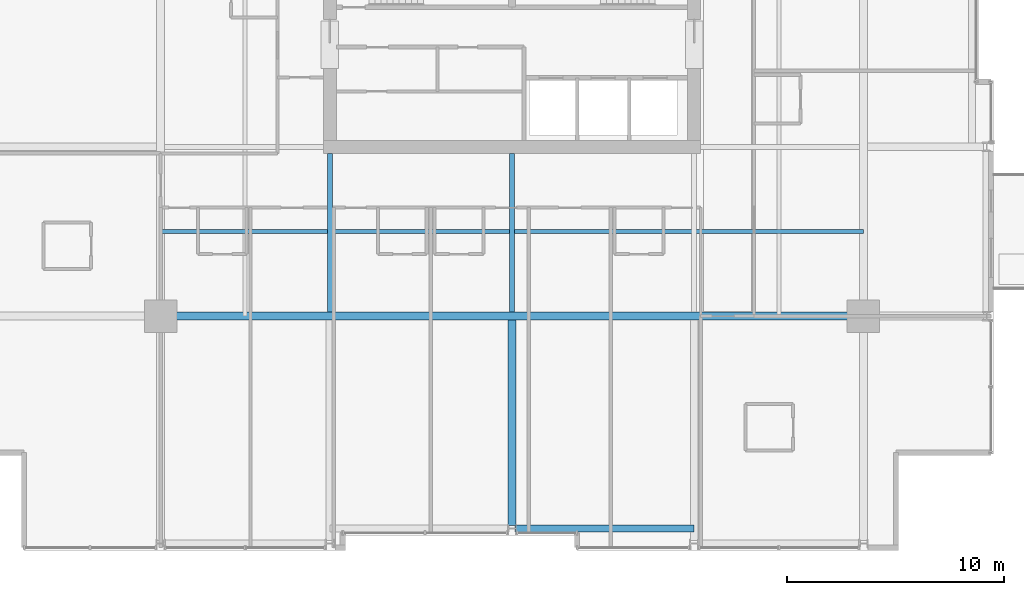
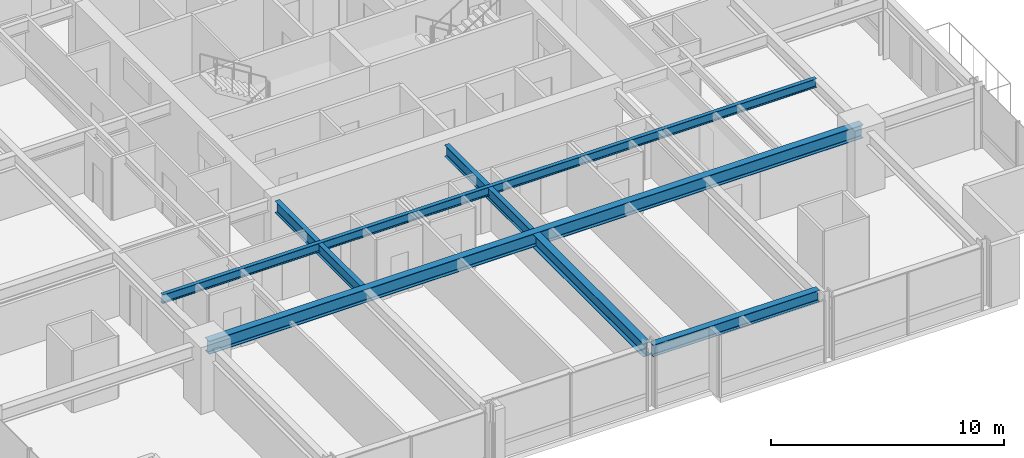
# One storey, part 6 of 34: 6 beams.
"""IFC4 building model written with IfcOpenShell, lengths in metres."""

from ifc_helpers import new_model, si_unit, direction, frame, origin, origin_2d, place, context, subcontext, project, spatial, i_section, extrude, material, material_profile, profile_set, type_object, element, save


model = new_model("IFC4")

# Units and contexts
model_context = context("Model", 3, precision=1e-05, world=origin(), true_north=direction((0.0, 1.0)))
body_context = subcontext(model_context, "Body", "Model", "MODEL_VIEW")
ifc_project = project(units=[si_unit("LENGTHUNIT", "METRE"), si_unit("AREAUNIT", "SQUARE_METRE"), si_unit("VOLUMEUNIT", "CUBIC_METRE"), si_unit("PLANEANGLEUNIT", "RADIAN"), si_unit("MASSUNIT", "GRAM", prefix="KILO")], contexts=[model_context])

# Site, building, storey
site_placement = place(None, origin())
site = spatial("IfcSite", under=ifc_project, at=site_placement, CompositionType="ELEMENT")
building_placement = place(site_placement, origin())
building = spatial("IfcBuilding", under=site, at=building_placement, Name="Drelvath Grand Hotel", CompositionType="ELEMENT")
storey_placement = place(building_placement, frame((0.0, 0.0, 133.800048828125)))
storey = spatial("IfcBuildingStorey", under=building, at=storey_placement, Name="L34", CompositionType="ELEMENT", Elevation=133.800048828125)

# Beams
ifc_material = material(Name="Steel ASTM A992 Gr 50", Category="steel")
ifc_material_profile_1 = material_profile(ifc_material, i_section(OverallWidth=0.19140625, OverallDepth=0.4599609375, WebThickness=0.010009765625, FlangeThickness=0.01611328125, FilletRadius=0.01611328125, at=origin_2d()), Name="W18X55")
ifc_profile_set_1 = profile_set([ifc_material_profile_1], Name="Steel ASTM A992 Gr 50")
beam_type_1 = type_object("IfcBeamType", Name="Composite Floor Joist W18X55", PredefinedType="JOIST", material=ifc_profile_set_1)
beam_1_placement = place(storey_placement, frame((-16.199951171875, 14.699951171875, 3.010009765625), z_axis=(1.0, 0.0, 0.0), x_axis=(0.0, 1.0, 0.0)))
element("IfcBeam", 1, at=beam_1_placement, inside=storey, type_object=beam_type_1, Name="L34 Floor Joist J1", PredefinedType="JOIST", context=body_context, shape_type="SweptSolid", body=[
    extrude(i_section(OverallWidth=0.19140625, OverallDepth=0.4599609375, WebThickness=0.010009765625, FlangeThickness=0.01611328125, FilletRadius=0.01611328125, at=origin_2d()), origin(), (0.0, 0.0, 1.0), 32.39990234375),
])
ifc_material_profile_2 = material_profile(ifc_material, i_section(OverallWidth=0.323974609375, OverallDepth=0.611083984375, WebThickness=0.0126953125, FlangeThickness=0.01904296875, FilletRadius=0.02197265625, at=origin_2d()), Name="W24X104")
ifc_profile_set_2 = profile_set([ifc_material_profile_2], Name="Steel ASTM A992 Gr 50")
beam_type_2 = type_object("IfcBeamType", Name="Perimeter Spandrel Beam W24X104", PredefinedType="SPANDREL", material=ifc_profile_set_2)
beam_2_placement = place(storey_placement, frame((0.139892578125, 1.0, 2.934326171875), z_axis=(1.0, 0.0, 0.0), x_axis=(0.0, 1.0, 0.0)))
element("IfcBeam", 2, at=beam_2_placement, inside=storey, type_object=beam_type_2, Name="L34 Spandrel South Mid E", PredefinedType="SPANDREL", context=body_context, shape_type="SweptSolid", body=[
    extrude(i_section(OverallWidth=0.323974609375, OverallDepth=0.611083984375, WebThickness=0.0126953125, FlangeThickness=0.01904296875, FilletRadius=0.02197265625, at=origin_2d()), origin(), (0.0, 0.0, 1.0), 8.260009765625),
])
ifc_material_profile_3 = material_profile(ifc_material, i_section(OverallWidth=0.228271484375, OverallDepth=0.607666015625, WebThickness=0.01123046875, FlangeThickness=0.017333984375, FilletRadius=0.02001953125, at=origin_2d()), Name="W24X76")
ifc_profile_set_3 = profile_set([ifc_material_profile_3], Name="Steel ASTM A992 Gr 50")
beam_type_3 = type_object("IfcBeamType", Name="Primary Floor Girder W24X76", PredefinedType="BEAM", material=ifc_profile_set_3)
for number, where, z_axis, x_axis, name in (
    (3, (-8.39990234375, 10.977294921875, 2.93603515625), (0.0, 1.0, 0.0), (-1.0, 0.0, 0.0), "L34 South Core Tie 4"),
    (4, (0.0, 10.977294921875, 2.93603515625), (0.0, 1.0, 0.0), (-1.0, 0.0, 0.0), "L34 South Core Tie 5"),
):
    element("IfcBeam", number, at=place(storey_placement, frame(where, z_axis=z_axis, x_axis=x_axis)), inside=storey, type_object=beam_type_3, Name=name, PredefinedType="BEAM", context=body_context, shape_type="SweptSolid", body=[
        extrude(i_section(OverallWidth=0.228271484375, OverallDepth=0.607666015625, WebThickness=0.01123046875, FlangeThickness=0.017333984375, FilletRadius=0.02001953125, at=origin_2d()), origin(), (0.0, 0.0, 1.0), 7.32275390625),
    ])
ifc_material_profile_4 = material_profile(ifc_material, i_section(OverallWidth=0.354736328125, OverallDepth=0.695556640625, WebThickness=0.015380859375, FlangeThickness=0.025146484375, FilletRadius=0.02392578125, at=origin_2d()), Name="W27X146")
ifc_profile_set_4 = profile_set([ifc_material_profile_4], Name="Steel ASTM A992 Gr 50")
beam_type_4 = type_object("IfcBeamType", Name="Primary Floor Girder W27X146", PredefinedType="BEAM", material=ifc_profile_set_4)
beam_3_placement = place(storey_placement, frame((-16.199951171875, 10.800048828125, 2.892333984375), z_axis=(1.0, 0.0, 0.0), x_axis=(0.0, 1.0, 0.0)))
element("IfcBeam", 5, at=beam_3_placement, inside=storey, type_object=beam_type_4, Name="L34 Mega Ring Girder South", PredefinedType="BEAM", context=body_context, shape_type="SweptSolid", body=[
    extrude(i_section(OverallWidth=0.354736328125, OverallDepth=0.695556640625, WebThickness=0.015380859375, FlangeThickness=0.025146484375, FilletRadius=0.02392578125, at=origin_2d()), origin(), (0.0, 0.0, 1.0), 32.39990234375),
])
beam_4_placement = place(storey_placement, frame((0.0, 1.139892578125, 2.892333984375), z_axis=(0.0, 1.0, 0.0), x_axis=(-1.0, 0.0, 0.0)))
element("IfcBeam", 6, at=beam_4_placement, inside=storey, type_object=beam_type_4, Name="L34 South Wing Girder 5", PredefinedType="BEAM", context=body_context, shape_type="SweptSolid", body=[
    extrude(i_section(OverallWidth=0.354736328125, OverallDepth=0.695556640625, WebThickness=0.015380859375, FlangeThickness=0.025146484375, FilletRadius=0.02392578125, at=origin_2d()), origin(), (0.0, 0.0, 1.0), 9.482666015625),
])

save(model, "model.ifc")
